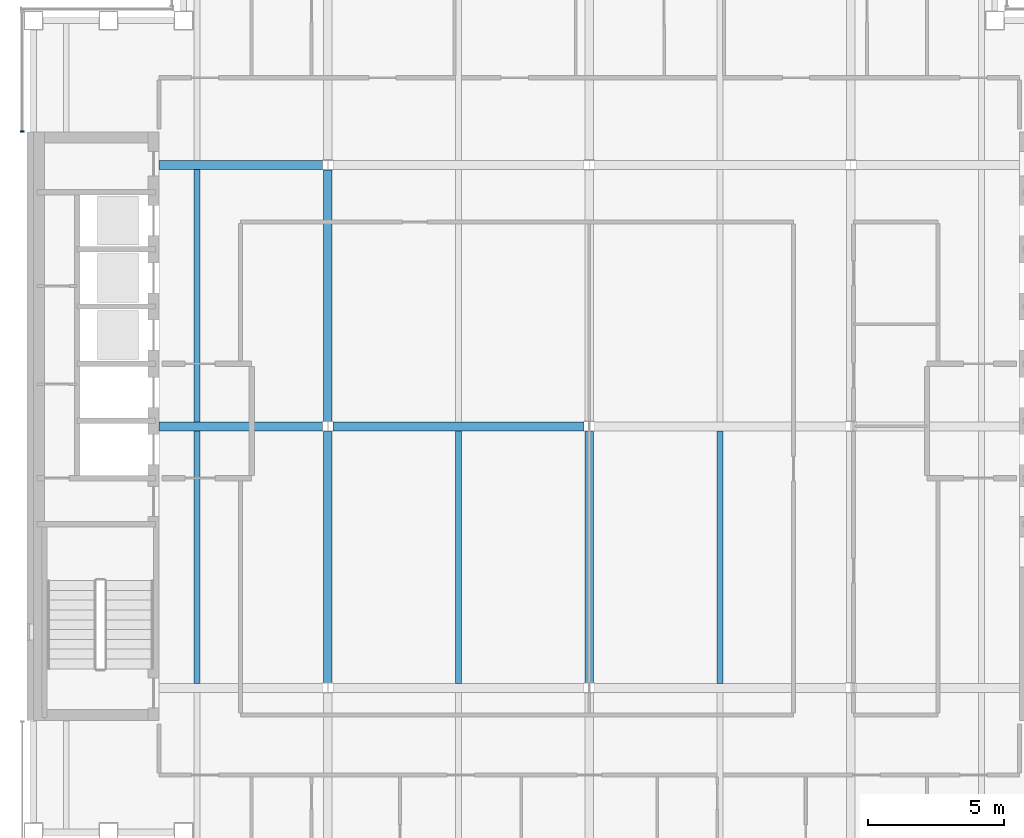
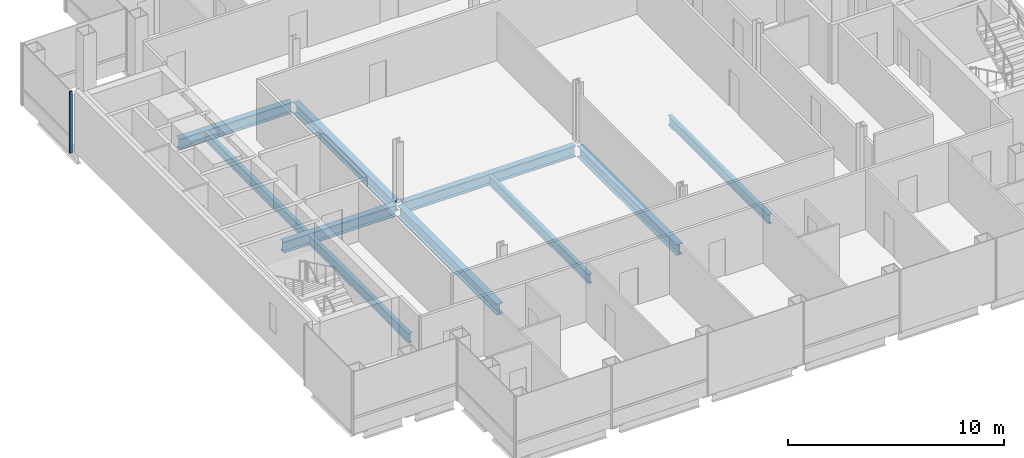
# One storey, part 4 of 15: 10 beams, 1 member, 1 element without a shape of its own.
"""IFC4 building model written with IfcOpenShell, lengths in metres."""

import ifcopenshell
import ifcopenshell.guid

model = None  # the IFC model being written
_history = None  # IfcOwnerHistory: only IFC2X3 demands one
_inside = {}  # id of a spatial element -> (the spatial element, [elements in it])
_under = {}  # id of a project, library or spatial element -> (it, [spatial elements below it])
_declared = {}  # id of a project -> (the project, [libraries it declares])
_typed = {}  # id of a type object -> (the type object, [elements of that type])
_made_of = {}  # id of a material, layer set ... -> (it, [elements and type objects made of it])


def new_model(schema):
    """Start an empty IFC model of exactly this schema.

    Asked for "IFC4X3", IfcOpenShell would pick the latest addendum, in which some entities
    have other attributes; the version numbers below select the first issue.
    IFC2X3 requires an IfcOwnerHistory on every rooted entity: one is made here for all.
    """
    global model, _history
    if schema == "IFC4X3":
        model = ifcopenshell.file(schema_version=(4, 3, 0, 0))
    else:
        model = ifcopenshell.file(schema=schema)
    _inside.clear()
    _under.clear()
    _declared.clear()
    _typed.clear()
    _made_of.clear()
    _history = None
    if model.schema == "IFC2X3":
        org = make("IfcOrganization", Name="unknown")
        user = make(
            "IfcPersonAndOrganization",
            ThePerson=make("IfcPerson", FamilyName="unknown"),
            TheOrganization=org,
        )
        app = make(
            "IfcApplication",
            ApplicationDeveloper=org,
            Version="unknown",
            ApplicationFullName="unknown",
            ApplicationIdentifier="unknown",
        )
        _history = make(
            "IfcOwnerHistory",
            OwningUser=user,
            OwningApplication=app,
            ChangeAction="ADDED",
            CreationDate=0,
        )
    return model


def make(cls, **values):
    """One entity of the class cls with the attributes given. An attribute that is None is left unset."""
    return model.create_entity(
        cls, **{name: value for name, value in values.items() if value is not None}
    )


def rooted(cls, **values):
    """An entity with a GlobalId (a new one), such as an element, a storey or a relation."""
    return make(cls, GlobalId=ifcopenshell.guid.new(), OwnerHistory=_history, **values)


def si_unit(unit_type, name, prefix=None):
    """IfcSIUnit, for example si_unit("LENGTHUNIT", "METRE", prefix="MILLI")."""
    return make("IfcSIUnit", UnitType=unit_type, Prefix=prefix, Name=name)


def assignment(units):
    """IfcUnitAssignment: the units of a project."""
    return None if units is None else make("IfcUnitAssignment", Units=units)


def point(xyz):
    """IfcCartesianPoint."""
    return None if xyz is None else make("IfcCartesianPoint", Coordinates=xyz)


def direction(xyz):
    """IfcDirection."""
    return None if xyz is None else make("IfcDirection", DirectionRatios=xyz)


def frame(location, z_axis=None, x_axis=None):
    """IfcAxis2Placement3D, a coordinate frame: its origin and axes. An axis left out is left unset."""
    return make(
        "IfcAxis2Placement3D",
        Location=point(location),
        Axis=direction(z_axis),
        RefDirection=direction(x_axis),
    )


def frame_2d(location, x_axis=None):
    """IfcAxis2Placement2D, a coordinate frame in the plane: its origin and x axis."""
    return make(
        "IfcAxis2Placement2D", Location=point(location), RefDirection=direction(x_axis)
    )


def origin():
    """The frame at (0, 0, 0) with its axes left unset."""
    return frame((0.0, 0.0, 0.0))


def origin_2d():
    """The frame at (0, 0) in the plane with its x axis left unset."""
    return frame_2d((0.0, 0.0))


def place(relative_to, where):
    """IfcLocalPlacement: puts the frame where relative to a parent placement (None: the world)."""
    return make(
        "IfcLocalPlacement", PlacementRelTo=relative_to, RelativePlacement=where
    )


def context(
    kind, dimensions, precision=None, world=None, true_north=None, identifier=None
):
    """IfcGeometricRepresentationContext, for example the 3D "Model" context."""
    return make(
        "IfcGeometricRepresentationContext",
        ContextIdentifier=identifier,
        ContextType=kind,
        CoordinateSpaceDimension=dimensions,
        Precision=precision,
        WorldCoordinateSystem=world,
        TrueNorth=true_north,
    )


def subcontext(parent, identifier, kind, view, scale=None):
    """IfcGeometricRepresentationSubContext, for example "Body" below "Model"."""
    return make(
        "IfcGeometricRepresentationSubContext",
        ContextIdentifier=identifier,
        ContextType=kind,
        ParentContext=parent,
        TargetScale=scale,
        TargetView=view,
    )


def project(units=None, contexts=None):
    """IfcProject with its units and contexts."""
    return rooted(
        "IfcProject",
        Name="project",
        RepresentationContexts=contexts,
        UnitsInContext=assignment(units),
    )


def spatial(cls, under=None, at=None, **own):
    """A site, building, storey or space (cls), placed at a placement, below another one or the project."""
    s = rooted(cls, ObjectPlacement=at, **own)
    if under is not None:
        _under.setdefault(under.id(), (under, []))[1].append(s)
    return s


def profile(cls, at=None, kind="AREA", **sizes):
    """A parametric profile (cls). Its sizes go by their IFC names, for example OverallWidth=200.0."""
    return make(cls, ProfileType=kind, Position=at, **sizes)


def rectangle(**sizes):
    """IfcRectangleProfileDef."""
    return profile("IfcRectangleProfileDef", **sizes)


def i_section(**sizes):
    """IfcIShapeProfileDef."""
    return profile("IfcIShapeProfileDef", **sizes)


def extrude(swept, where, along, depth):
    """IfcExtrudedAreaSolid: the profile swept, set in the frame where, extruded along a direction by depth."""
    return make(
        "IfcExtrudedAreaSolid",
        SweptArea=swept,
        Position=where,
        ExtrudedDirection=direction(along),
        Depth=depth,
    )


def shape(context_of_items, identifier, shape_type, items):
    """IfcShapeRepresentation: the items that make up one representation, for example the "Body"."""
    return make(
        "IfcShapeRepresentation",
        ContextOfItems=context_of_items,
        RepresentationIdentifier=identifier,
        RepresentationType=shape_type,
        Items=items,
    )


def material(Name=None, Category=None):
    """IfcMaterial."""
    return make("IfcMaterial", Name=Name, Category=Category)


def material_profile(
    of_material, cross_section, Name=None, Category=None, Priority=None
):
    """IfcMaterialProfile: a cross section and its material."""
    return make(
        "IfcMaterialProfile",
        Name=Name,
        Material=of_material,
        Profile=cross_section,
        Priority=Priority,
        Category=Category,
    )


def profile_set(profiles, Name=None, composite=None):
    """IfcMaterialProfileSet."""
    return make(
        "IfcMaterialProfileSet",
        Name=Name,
        MaterialProfiles=profiles,
        CompositeProfile=composite,
    )


def made_of(thing, what):
    """Note that an element or type object is made of a material, layer set ...; save() writes the relation."""
    if what is not None:
        _made_of.setdefault(what.id(), (what, []))[1].append(thing)
    return thing


def type_object(cls, material=None, **own):
    """A type object (cls), such as IfcWallType, which elements share."""
    return made_of(rooted(cls, **own), material)


def element(
    cls,
    number,
    at=None,
    inside=None,
    cuts=None,
    type_object=None,
    material=None,
    context=None,
    identifier="Body",
    shape_type=None,
    held_by="IfcProductDefinitionShape",
    body=None,
    shapes=None,
    **own,
):
    """One element of the class cls, such as IfcWall. Its Tag is "e" and its number.

    at: its placement. inside: the storey or other place that contains it. cuts: it is an
    opening in that element (IfcRelVoidsElement). A single representation is given by context,
    identifier, shape_type and body (its items); several are given by shapes. held_by: the class
    of the entity that holds the representations. save() writes the other relations.
    """
    e = rooted(cls, Tag="e%d" % number, ObjectPlacement=at, **own)
    if body is not None:
        shapes = [shape(context, identifier, shape_type, body)]
    if shapes is not None:
        e.Representation = make(held_by, Representations=shapes)
    if inside is not None:
        _inside.setdefault(inside.id(), (inside, []))[1].append(e)
    if cuts is not None:
        rooted(
            "IfcRelVoidsElement", RelatingBuildingElement=cuts, RelatedOpeningElement=e
        )
    if type_object is not None:
        _typed.setdefault(type_object.id(), (type_object, []))[1].append(e)
    return made_of(e, material)


def aggregate(whole, parts):
    """IfcRelAggregates: a whole, such as a stair, and the parts it consists of."""
    return rooted("IfcRelAggregates", RelatingObject=whole, RelatedObjects=parts)


def save(model, path):
    """Write the relations noted so far, then the file.

    IfcRelAggregates (storeys below a building ...), IfcRelContainedInSpatialStructure (elements
    in a storey), IfcRelDefinesByType, IfcRelAssociatesMaterial and IfcRelDeclares: one each for
    every whole, place, type object, material and project.
    """
    for whole, parts in _under.values():
        aggregate(whole, parts)
    for where, things in _inside.values():
        rooted(
            "IfcRelContainedInSpatialStructure",
            RelatedElements=things,
            RelatingStructure=where,
        )
    for kind, things in _typed.values():
        rooted("IfcRelDefinesByType", RelatedObjects=things, RelatingType=kind)
    for what, things in _made_of.values():
        rooted("IfcRelAssociatesMaterial", RelatedObjects=things, RelatingMaterial=what)
    for by, libraries in _declared.values():
        rooted("IfcRelDeclares", RelatingContext=by, RelatedDefinitions=libraries)
    model.write(path)


model = new_model("IFC4")

# Units and contexts
model_context = context("Model", 3, precision=1e-05, world=origin(), true_north=direction((0.0, 1.0)))
body_context = subcontext(model_context, "Body", "Model", "MODEL_VIEW")
ifc_project = project(units=[si_unit("LENGTHUNIT", "METRE"), si_unit("AREAUNIT", "SQUARE_METRE"), si_unit("VOLUMEUNIT", "CUBIC_METRE"), si_unit("PLANEANGLEUNIT", "RADIAN"), si_unit("MASSUNIT", "GRAM", prefix="KILO")], contexts=[model_context])

# Site, building, storey
site_placement = place(None, origin())
site = spatial("IfcSite", under=ifc_project, at=site_placement, CompositionType="ELEMENT")
building_placement = place(site_placement, origin())
building = spatial("IfcBuilding", under=site, at=building_placement, Name="Cobrizo Arcos Hotel Tower", CompositionType="ELEMENT")
storey_placement = place(building_placement, frame((0.0, 0.0, 194.5)))
storey = spatial("IfcBuildingStorey", under=building, at=storey_placement, Name="L50", CompositionType="ELEMENT", Elevation=194.5)

# Curtain wall, member
ifc_material_1 = material(Name="Aluminium 6063-T6 anodised bronze", Category="aluminium")
curtain_wall_type = type_object("IfcCurtainWallType", Name="CW-A guest facade", PredefinedType="NOTDEFINED", material=ifc_material_1)
curtain_wall_placement = place(storey_placement, origin())
curtain_wall = element("IfcCurtainWall", 1, at=curtain_wall_placement, inside=storey, type_object=curtain_wall_type, Name="CW-A L50 W face", PredefinedType="NOTDEFINED")
ifc_material_profile_1 = material_profile(ifc_material_1, rectangle(XDim=0.14990234375, YDim=0.06005859375, at=origin_2d()), Name="CW-A mullion 150x60")
ifc_profile_set_1 = profile_set([ifc_material_profile_1], Name="Aluminium 6063-T6 anodised bronze")
member_type = type_object("IfcMemberType", Name="CW-A mullion 150x60", PredefinedType="MULLION", material=ifc_profile_set_1)
member_placement = place(storey_placement, frame((-20.824951171875, 10.830078125, 0.0), z_axis=(0.0, 0.0, 1.0), x_axis=(-1.0, 0.0, 0.0)))
member = element("IfcMember", 2, at=member_placement, type_object=member_type, Name="CW-A mullion 2", PredefinedType="MULLION", context=body_context, shape_type="SweptSolid", body=[
    extrude(rectangle(XDim=0.14990234375, YDim=0.06005859375, at=origin_2d()), origin(), (0.0, 0.0, 1.0), 3.5),
])
aggregate(curtain_wall, [member])

# Beams
ifc_material_2 = material(Name="Steel ASTM A992 Grade 50", Category="steel")
ifc_material_profile_2 = material_profile(ifc_material_2, i_section(OverallWidth=0.209228515625, OverallDepth=0.533447265625, WebThickness=0.01025390625, FlangeThickness=0.015625, at=origin_2d()), Name="W21X62")
ifc_profile_set_2 = profile_set([ifc_material_profile_2], Name="Steel ASTM A992 Grade 50")
beam_type_1 = type_object("IfcBeamType", Name="W21X62 joist", PredefinedType="JOIST", material=ifc_profile_set_2)
for number, where, z_axis, x_axis, name in (
    (3, (-14.39990234375, -9.43603515625, -0.416748046875), (0.0, 1.0, 0.0), (-1.0, 0.0, 0.0), "Floor joist J1, L50, no. 004"),
    (4, (-14.39990234375, 0.163818359375, -0.416748046875), (0.0, 1.0, 0.0), (-1.0, 0.0, 0.0), "Floor joist J1, L50, no. 005"),
    (5, (-4.800048828125, -9.43603515625, -0.416748046875), (0.0, 1.0, 0.0), (-1.0, 0.0, 0.0), "Floor joist J1, L50, no. 008"),
    (6, (4.800048828125, -9.43603515625, -0.416748046875), (0.0, 1.0, 0.0), (-1.0, 0.0, 0.0), "Floor joist J1, L50, no. 012"),
):
    element("IfcBeam", number, at=place(storey_placement, frame(where, z_axis=z_axis, x_axis=x_axis)), inside=storey, type_object=beam_type_1, Name=name, PredefinedType="JOIST", context=body_context, shape_type="SweptSolid", body=[
        extrude(i_section(OverallWidth=0.209228515625, OverallDepth=0.533447265625, WebThickness=0.01025390625, FlangeThickness=0.015625, at=origin_2d()), origin(), (0.0, 0.0, 1.0), 9.272216796875),
    ])
ifc_material_profile_3 = material_profile(ifc_material_2, i_section(OverallWidth=0.32763671875, OverallDepth=0.622314453125, WebThickness=0.015380859375, FlangeThickness=0.0244140625, at=origin_2d()), Name="W24X131")
ifc_profile_set_3 = profile_set([ifc_material_profile_3], Name="Steel ASTM A992 Grade 50")
beam_type_2 = type_object("IfcBeamType", Name="W24X131 girder", PredefinedType="BEAM", material=ifc_profile_set_3)
beam_1_placement = place(storey_placement, frame((-15.7900390625, 0.0, -0.461181640625), z_axis=(1.0, 0.0, 0.0), x_axis=(0.0, 1.0, 0.0)))
element("IfcBeam", 7, at=beam_1_placement, inside=storey, type_object=beam_type_2, Name="Floor girder G1, L50, no. 005", PredefinedType="BEAM", context=body_context, shape_type="SweptSolid", body=[
    extrude(i_section(OverallWidth=0.32763671875, OverallDepth=0.622314453125, WebThickness=0.015380859375, FlangeThickness=0.0244140625, at=origin_2d()), origin(), (0.0, 0.0, 1.0), 6.00341796875),
])
beam_2_placement = place(storey_placement, frame((-9.413330078125, 0.0, -0.461181640625), z_axis=(1.0, 0.0, 0.0), x_axis=(0.0, 1.0, 0.0)))
element("IfcBeam", 8, at=beam_2_placement, inside=storey, type_object=beam_type_2, Name="Floor girder G1, L50, no. 006", PredefinedType="BEAM", context=body_context, shape_type="SweptSolid", body=[
    extrude(i_section(OverallWidth=0.32763671875, OverallDepth=0.622314453125, WebThickness=0.015380859375, FlangeThickness=0.0244140625, at=origin_2d()), origin(), (0.0, 0.0, 1.0), 9.2265625),
])
beam_3_placement = place(storey_placement, frame((-15.7900390625, 9.60009765625, -0.461181640625), z_axis=(1.0, 0.0, 0.0), x_axis=(0.0, 1.0, 0.0)))
element("IfcBeam", 9, at=beam_3_placement, inside=storey, type_object=beam_type_2, Name="Floor girder G1, L50, no. 009", PredefinedType="BEAM", context=body_context, shape_type="SweptSolid", body=[
    extrude(i_section(OverallWidth=0.32763671875, OverallDepth=0.622314453125, WebThickness=0.015380859375, FlangeThickness=0.0244140625, at=origin_2d()), origin(), (0.0, 0.0, 1.0), 6.00341796875),
])
for number, where, z_axis, x_axis, name in (
    (10, (-9.60009765625, -9.413330078125, -0.461181640625), (0.0, 1.0, 0.0), (-1.0, 0.0, 0.0), "Floor girder G1, L50, no. 014"),
    (11, (-9.60009765625, 0.186767578125, -0.461181640625), (0.0, 1.0, 0.0), (-1.0, 0.0, 0.0), "Floor girder G1, L50, no. 015"),
    (12, (0.0, -9.413330078125, -0.461181640625), (0.0, 1.0, 0.0), (-1.0, 0.0, 0.0), "Floor girder G1, L50, no. 018"),
):
    element("IfcBeam", number, at=place(storey_placement, frame(where, z_axis=z_axis, x_axis=x_axis)), inside=storey, type_object=beam_type_2, Name=name, PredefinedType="BEAM", context=body_context, shape_type="SweptSolid", body=[
        extrude(i_section(OverallWidth=0.32763671875, OverallDepth=0.622314453125, WebThickness=0.015380859375, FlangeThickness=0.0244140625, at=origin_2d()), origin(), (0.0, 0.0, 1.0), 9.2265625),
    ])

save(model, "model.ifc")
